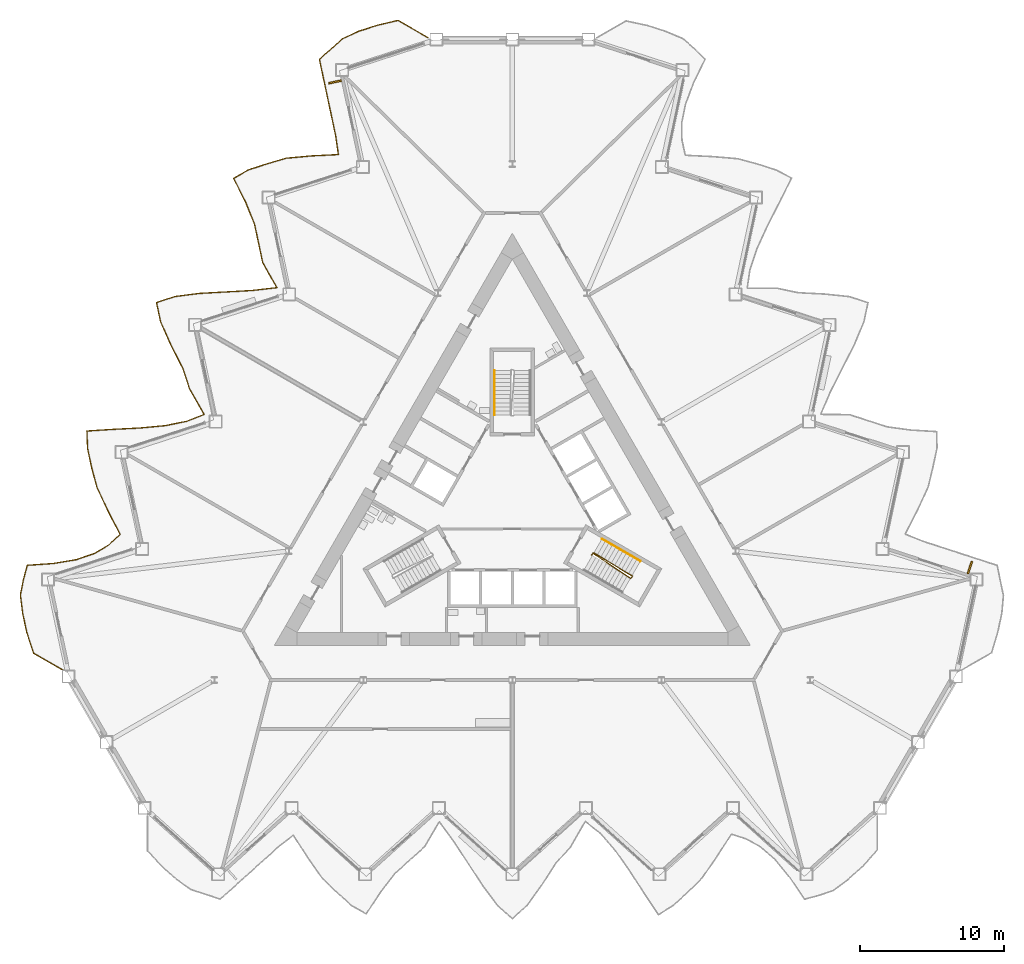
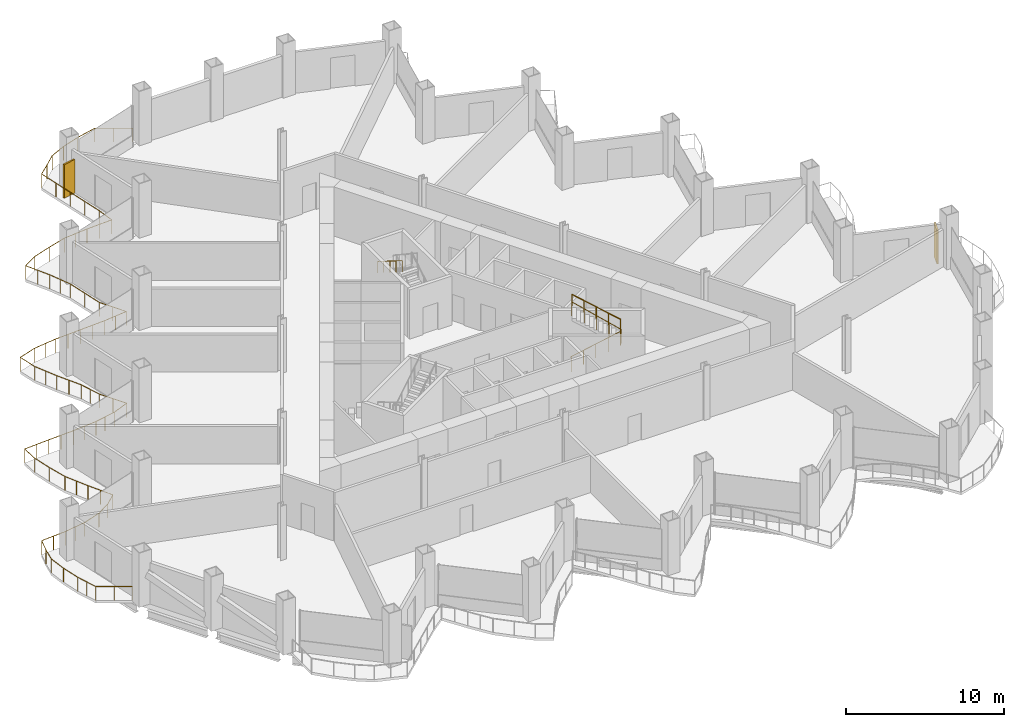
# One storey, part 18 of 21: 4 railings, 2 shading devices.
"""IFC4 building model written with IfcOpenShell, lengths in metres."""

from ifc_helpers import new_model, si_unit, direction, frame, origin, origin_2d, place, context, subcontext, project, spatial, rectangle, circle, extrude, material, layer, layer_set, type_object, element, save


model = new_model("IFC4")

# Units and contexts
model_context = context("Model", 3, precision=1e-05, world=origin(), true_north=direction((0.0, 1.0)))
body_context = subcontext(model_context, "Body", "Model", "MODEL_VIEW")
ifc_project = project(units=[si_unit("LENGTHUNIT", "METRE"), si_unit("AREAUNIT", "SQUARE_METRE"), si_unit("VOLUMEUNIT", "CUBIC_METRE"), si_unit("PLANEANGLEUNIT", "RADIAN"), si_unit("MASSUNIT", "GRAM", prefix="KILO")], contexts=[model_context])

# Site, building, storey
site_placement = place(None, origin())
site = spatial("IfcSite", under=ifc_project, at=site_placement, CompositionType="ELEMENT")
building_placement = place(site_placement, origin())
building = spatial("IfcBuilding", under=site, at=building_placement, Name="Cormorant Prow Tower", CompositionType="ELEMENT")
storey_placement = place(building_placement, frame((0.0, 0.0, 137.39990234375)))
storey = spatial("IfcBuildingStorey", under=building, at=storey_placement, Name="L29", CompositionType="ELEMENT", Elevation=137.39990234375)

# Railings
ifc_material_1 = material(Name="Aluminium 6063-T6", Category="aluminium")
railing_type_1 = type_object("IfcRailingType", Name="Balcony guard 1100", PredefinedType="GUARDRAIL", material=ifc_material_1)
railing_1_placement = place(storey_placement, frame((-5.843994140625, 32.614013671875, 0.0)))
element("IfcRailing", 1, at=railing_1_placement, inside=storey, type_object=railing_type_1, Name="Balcony guard WNW", PredefinedType="GUARDRAIL", context=body_context, shape_type="SweptSolid", body=[
    extrude(circle(Radius=0.02392578125, at=origin_2d()), frame((0.0, 0.0, 1.076171875), z_axis=(-0.866028295127, 0.499994992015, 0.0), x_axis=(-0.499994992015, -0.866028295127, 0.0)), (0.0, 0.0, 1.0), 2.40380859375),
    extrude(circle(Radius=0.02392578125, at=origin_2d()), frame((-2.081787109375, 1.201904296875, 1.076171875), z_axis=(-0.973527437764, -0.228570181608, 0.0), x_axis=(0.228570181608, -0.973527437764, 0.0)), (0.0, 0.0, 1.0), 1.479248046875),
    extrude(circle(Radius=0.02392578125, at=origin_2d()), frame((-3.52197265625, 0.86376953125, 1.076171875), z_axis=(-0.951056446131, -0.309017210318, 0.0), x_axis=(0.309017210318, -0.951056446131, 0.0)), (0.0, 0.0, 1.0), 1.36279296875),
    extrude(circle(Radius=0.02392578125, at=origin_2d()), frame((-4.818115234375, 0.442626953125, 1.076171875), z_axis=(-0.907751753019, -0.419507753077, 0.0), x_axis=(0.419507753077, -0.907751753019, 0.0)), (0.0, 0.0, 1.0), 1.239501953125),
    extrude(circle(Radius=0.02392578125, at=origin_2d()), frame((-5.943359375, -0.077392578125, 1.076171875), z_axis=(-0.741660765291, -0.670775155494, 0.0), x_axis=(0.670775155494, -0.741660765291, 0.0)), (0.0, 0.0, 1.0), 1.064208984375),
    extrude(circle(Radius=0.02392578125, at=origin_2d()), frame((-6.732666015625, -0.791259765625, 1.076171875), z_axis=(-0.75254842352, -0.658536916397, 0.0), x_axis=(0.658536916397, -0.75254842352, 0.0)), (0.0, 0.0, 1.0), 1.06982421875),
    extrude(circle(Radius=0.02392578125, at=origin_2d()), frame((-7.537841796875, -1.495849609375, 1.076171875), z_axis=(0.20777949128, -0.978175691276, 0.0), x_axis=(0.978175691276, 0.20777949128, 0.0)), (0.0, 0.0, 1.0), 1.363037109375),
    extrude(circle(Radius=0.02392578125, at=origin_2d()), frame((-7.254638671875, -2.8291015625, 1.076171875), z_axis=(0.207950868925, -0.97813927235, 0.0), x_axis=(0.97813927235, 0.207950868925, 0.0)), (0.0, 0.0, 1.0), 1.363037109375),
    extrude(circle(Radius=0.02392578125, at=origin_2d()), frame((-6.97119140625, -4.162353515625, 1.076171875), z_axis=(0.207950868925, -0.97813927235, 0.0), x_axis=(0.97813927235, 0.207950868925, 0.0)), (0.0, 0.0, 1.0), 1.363037109375),
    extrude(circle(Radius=0.02392578125, at=origin_2d()), frame((-6.687744140625, -5.49560546875, 1.076171875), z_axis=(0.207950868925, -0.97813927235, 0.0), x_axis=(0.97813927235, 0.207950868925, 0.0)), (0.0, 0.0, 1.0), 1.363037109375),
    extrude(circle(Radius=0.02392578125, at=origin_2d()), frame((-6.404296875, -6.828857421875, 1.076171875), z_axis=(0.140066112569, -0.990142153486, 0.0), x_axis=(0.990142153486, 0.140066112569, 0.0)), (0.0, 0.0, 1.0), 1.286376953125),
    extrude(circle(Radius=0.02392578125, at=origin_2d()), frame((-6.22412109375, -8.1025390625, 1.076171875), z_axis=(-0.998757876962, -0.049826731848, 0.0), x_axis=(0.049826731848, -0.998757876962, 0.0)), (0.0, 0.0, 1.0), 1.86669921875),
    extrude(circle(Radius=0.02392578125, at=origin_2d()), frame((-8.088623046875, -8.195556640625, 1.076171875), z_axis=(-0.995861249843, -0.090886583505, 0.0), x_axis=(0.090886583505, -0.995861249843, 0.0)), (0.0, 0.0, 1.0), 1.7568359375),
    extrude(circle(Radius=0.02392578125, at=origin_2d()), frame((-9.838134765625, -8.355224609375, 1.076171875), z_axis=(-0.959190108163, -0.282761978353, 0.0), x_axis=(0.282761978353, -0.959190108163, 0.0)), (0.0, 0.0, 1.0), 1.39794921875),
    extrude(circle(Radius=0.02392578125, at=origin_2d()), frame((-11.178955078125, -8.75048828125, 1.076171875), z_axis=(-0.951073548171, -0.308964570734, 0.0), x_axis=(0.308964570734, -0.951073548171, 0.0)), (0.0, 0.0, 1.0), 1.363037109375),
    extrude(circle(Radius=0.02392578125, at=origin_2d()), frame((-12.475341796875, -9.171630859375, 1.076171875), z_axis=(-0.863725761158, -0.503962111187, 0.0), x_axis=(0.503962111187, -0.863725761158, 0.0)), (0.0, 0.0, 1.0), 1.16650390625),
    extrude(circle(Radius=0.02392578125, at=origin_2d()), frame((-13.48291015625, -9.759521484375, 1.076171875), z_axis=(0.447319812545, -0.894374074593, 0.0), x_axis=(0.894374074593, 0.447319812545, 0.0)), (0.0, 0.0, 1.0), 1.8388671875),
    extrude(circle(Radius=0.02392578125, at=origin_2d()), frame((-12.660400390625, -11.404052734375, 1.076171875), z_axis=(0.377977097368, -0.925814945799, 0.0), x_axis=(0.925814945799, 0.377977097368, 0.0)), (0.0, 0.0, 1.0), 1.65283203125),
    extrude(circle(Radius=0.02392578125, at=origin_2d()), frame((-12.03564453125, -12.934326171875, 1.076171875), z_axis=(0.207950868925, -0.97813927235, 0.0), x_axis=(0.97813927235, 0.207950868925, 0.0)), (0.0, 0.0, 1.0), 1.363037109375),
    extrude(circle(Radius=0.02392578125, at=origin_2d()), frame((-11.752197265625, -14.267578125, 1.076171875), z_axis=(0.20777949128, -0.978175691276, 0.0), x_axis=(0.978175691276, 0.20777949128, 0.0)), (0.0, 0.0, 1.0), 1.363037109375),
    extrude(circle(Radius=0.02392578125, at=origin_2d()), frame((-11.468994140625, -15.600830078125, 1.076171875), z_axis=(0.490803057014, -0.871270543072, 0.0), x_axis=(0.871270543072, 0.490803057014, 0.0)), (0.0, 0.0, 1.0), 1.9892578125),
    extrude(circle(Radius=0.02392578125, at=origin_2d()), frame((-10.49267578125, -17.333984375, 1.076171875), z_axis=(-0.993563140823, -0.113279676901, 0.0), x_axis=(0.113279676901, -0.993563140823, 0.0)), (0.0, 0.0, 1.0), 1.70263671875),
    extrude(circle(Radius=0.02392578125, at=origin_2d()), frame((-12.184326171875, -17.52685546875, 1.076171875), z_axis=(-0.998448965936, -0.055674612001, 0.0), x_axis=(0.055674612001, -0.998448965936, 0.0)), (0.0, 0.0, 1.0), 1.8505859375),
    extrude(circle(Radius=0.02392578125, at=origin_2d()), frame((-14.031982421875, -17.6298828125, 1.076171875), z_axis=(-0.998487812858, -0.054973517027, 0.0), x_axis=(0.054973517027, -0.998487812858, 0.0)), (0.0, 0.0, 1.0), 1.851806640625),
    extrude(circle(Radius=0.02392578125, at=origin_2d()), frame((-15.881103515625, -17.731689453125, 1.076171875), z_axis=(-0.9919372882, -0.126729697698, 0.0), x_axis=(0.126729697698, -0.9919372882, 0.0)), (0.0, 0.0, 1.0), 1.672119140625),
    extrude(circle(Radius=0.02392578125, at=origin_2d()), frame((-17.539794921875, -17.943603515625, 1.076171875), z_axis=(-0.951020906197, -0.30912656951, 0.0), x_axis=(0.30912656951, -0.951020906197, 0.0)), (0.0, 0.0, 1.0), 1.363037109375),
    extrude(circle(Radius=0.02392578125, at=origin_2d()), frame((-18.836181640625, -18.364990234375, 1.076171875), z_axis=(0.207987307747, -0.978131524804, 0.0), x_axis=(0.978131524804, 0.207987307747, 0.0)), (0.0, 0.0, 1.0), 1.36279296875),
    extrude(circle(Radius=0.02392578125, at=origin_2d()), frame((-18.552734375, -19.697998046875, 1.076171875), z_axis=(0.40700550105, -0.913425706949, 0.0), x_axis=(0.913425706949, 0.40700550105, 0.0)), (0.0, 0.0, 1.0), 1.723876953125),
    extrude(circle(Radius=0.02392578125, at=origin_2d()), frame((-17.85107421875, -21.272705078125, 1.076171875), z_axis=(0.453817619065, -0.891094590168, 0.0), x_axis=(0.891094590168, 0.453817619065, 0.0)), (0.0, 0.0, 1.0), 1.85986328125),
    extrude(circle(Radius=0.02392578125, at=origin_2d()), frame((-17.007080078125, -22.929931640625, 1.076171875), z_axis=(0.311883805034, -0.950120251419, 0.0), x_axis=(0.950120251419, 0.311883805034, 0.0)), (0.0, 0.0, 1.0), 1.5185546875),
    extrude(circle(Radius=0.02392578125, at=origin_2d()), frame((-16.533447265625, -24.372802734375, 1.076171875), z_axis=(0.498014128162, -0.867168915582, 0.0), x_axis=(0.867168915582, 0.498014128162, 0.0)), (0.0, 0.0, 1.0), 2.017822265625),
    extrude(circle(Radius=0.02392578125, at=origin_2d()), frame((-15.528564453125, -26.12255859375, 1.076171875), z_axis=(-0.929438240411, -0.368977719195, 0.0), x_axis=(0.368977719195, -0.929438240411, 0.0)), (0.0, 0.0, 1.0), 1.29150390625),
    extrude(circle(Radius=0.02392578125, at=origin_2d()), frame((-16.72900390625, -26.59912109375, 1.076171875), z_axis=(-0.980310038388, -0.197464499685, 0.0), x_axis=(0.197464499685, -0.980310038388, 0.0)), (0.0, 0.0, 1.0), 1.531982421875),
    extrude(circle(Radius=0.02392578125, at=origin_2d()), frame((-18.230712890625, -26.901611328125, 1.076171875), z_axis=(-0.995728353616, -0.092331174608, 0.0), x_axis=(0.092331174608, -0.995728353616, 0.0)), (0.0, 0.0, 1.0), 1.753173828125),
    extrude(circle(Radius=0.02392578125, at=origin_2d()), frame((-19.976318359375, -27.0634765625, 1.076171875), z_axis=(-0.998736955878, -0.050244332642, 0.0), x_axis=(0.050244332642, -0.998736955878, 0.0)), (0.0, 0.0, 1.0), 1.865966796875),
    extrude(circle(Radius=0.02392578125, at=origin_2d()), frame((-21.83984375, -27.1572265625, 1.076171875), z_axis=(-0.997949334038, -0.064008801688, 0.0), x_axis=(0.064008801688, -0.997949334038, 0.0)), (0.0, 0.0, 1.0), 1.826904296875),
    extrude(circle(Radius=0.02392578125, at=origin_2d()), frame((-23.6630859375, -27.274169921875, 1.076171875), z_axis=(0.038346953092, -0.999264485103, 0.0), x_axis=(0.999264485103, 0.038346953092, 0.0)), (0.0, 0.0, 1.0), 1.197021484375),
    extrude(circle(Radius=0.02392578125, at=origin_2d()), frame((-23.6171875, -28.47021484375, 1.076171875), z_axis=(0.20777949128, -0.978175691276, 0.0), x_axis=(0.978175691276, 0.20777949128, 0.0)), (0.0, 0.0, 1.0), 1.363037109375),
    extrude(circle(Radius=0.02392578125, at=origin_2d()), frame((-23.333984375, -29.803466796875, 1.076171875), z_axis=(0.257290708408, -0.966334047505, 0.0), x_axis=(0.966334047505, 0.257290708408, 0.0)), (0.0, 0.0, 1.0), 1.429931640625),
    extrude(circle(Radius=0.02392578125, at=origin_2d()), frame((-22.966064453125, -31.185302734375, 1.076171875), z_axis=(0.42602218973, -0.904712713439, 0.0), x_axis=(0.904712713439, 0.42602218973, 0.0)), (0.0, 0.0, 1.0), 1.775390625),
    extrude(circle(Radius=0.02392578125, at=origin_2d()), frame((-22.209716796875, -32.79150390625, 1.076171875), z_axis=(0.457055956875, -0.889437941784, 0.0), x_axis=(0.889437941784, 0.457055956875, 0.0)), (0.0, 0.0, 1.0), 1.8701171875),
    extrude(circle(Radius=0.02392578125, at=origin_2d()), frame((-21.35498046875, -34.454833984375, 1.076171875), z_axis=(-0.739513853916, -0.673141337214, 0.0), x_axis=(0.673141337214, -0.739513853916, 0.0)), (0.0, 0.0, 1.0), 1.06298828125),
    extrude(circle(Radius=0.02392578125, at=origin_2d()), frame((-22.14111328125, -35.17041015625, 1.076171875), z_axis=(-0.856112008074, -0.516790314955, 0.0), x_axis=(0.516790314955, -0.856112008074, 0.0)), (0.0, 0.0, 1.0), 1.156982421875),
    extrude(circle(Radius=0.02392578125, at=origin_2d()), frame((-23.131591796875, -35.768310546875, 1.076171875), z_axis=(-0.9478484131, -0.318721486228, 0.0), x_axis=(0.318721486228, -0.9478484131, 0.0)), (0.0, 0.0, 1.0), 1.350341796875),
    extrude(circle(Radius=0.02392578125, at=origin_2d()), frame((-24.41162109375, -36.19873046875, 1.076171875), z_axis=(-0.986530062629, -0.163580058469, 0.0), x_axis=(0.163580058469, -0.986530062629, 0.0)), (0.0, 0.0, 1.0), 1.595458984375),
    extrude(circle(Radius=0.02392578125, at=origin_2d()), frame((-25.985595703125, -36.459716796875, 1.076171875), z_axis=(-0.9976522506, -0.068483478834, 0.0), x_axis=(0.068483478834, -0.9976522506, 0.0)), (0.0, 0.0, 1.0), 1.814453125),
    extrude(circle(Radius=0.02392578125, at=origin_2d()), frame((-27.7958984375, -36.583984375, 1.076171875), z_axis=(-0.256909410112, -0.966435489309, 0.0), x_axis=(0.966435489309, -0.256909410112, 0.0)), (0.0, 0.0, 1.0), 1.049072265625),
    extrude(circle(Radius=0.02392578125, at=origin_2d()), frame((-28.0654296875, -37.597900390625, 1.076171875), z_axis=(-0.193659031182, -0.981068896481, 0.0), x_axis=(0.981068896481, -0.193659031182, 0.0)), (0.0, 0.0, 1.0), 1.0703125),
    extrude(circle(Radius=0.02392578125, at=origin_2d()), frame((-28.272705078125, -38.64794921875, 1.076171875), z_axis=(0.124129331277, -0.992266047548, 0.0), x_axis=(0.992266047548, 0.124129331277, 0.0)), (0.0, 0.0, 1.0), 1.2705078125),
    extrude(circle(Radius=0.02392578125, at=origin_2d()), frame((-28.114990234375, -39.90869140625, 1.076171875), z_axis=(0.207987307747, -0.978131524804, 0.0), x_axis=(0.978131524804, 0.207987307747, 0.0)), (0.0, 0.0, 1.0), 1.36279296875),
    extrude(circle(Radius=0.02392578125, at=origin_2d()), frame((-27.83154296875, -41.24169921875, 1.076171875), z_axis=(0.311836172934, -0.950135885676, 0.0), x_axis=(0.950135885676, 0.311836172934, 0.0)), (0.0, 0.0, 1.0), 1.518798828125),
    extrude(circle(Radius=0.02392578125, at=origin_2d()), frame((-27.35791015625, -42.684814453125, 1.076171875), z_axis=(0.865997029545, -0.500049142405, 0.0), x_axis=(0.500049142405, 0.865997029545, 0.0)), (0.0, 0.0, 1.0), 2.350341796875),
    extrude(circle(Radius=0.02099609375, at=origin_2d()), origin(), (0.0, 0.0, 1.0), 1.052001953125),
    extrude(circle(Radius=0.02099609375, at=origin_2d()), frame((-1.041015625, 0.60107421875, 0.0)), (0.0, 0.0, 1.0), 1.052001953125),
    extrude(circle(Radius=0.02099609375, at=origin_2d()), frame((-2.081787109375, 1.201904296875, 0.0)), (0.0, 0.0, 1.0), 1.052001953125),
    extrude(circle(Radius=0.02099609375, at=origin_2d()), frame((-3.52197265625, 0.86376953125, 0.0)), (0.0, 0.0, 1.0), 1.052001953125),
    extrude(circle(Radius=0.02099609375, at=origin_2d()), frame((-4.818115234375, 0.442626953125, 0.0)), (0.0, 0.0, 1.0), 1.052001953125),
    extrude(circle(Radius=0.02099609375, at=origin_2d()), frame((-5.943359375, -0.077392578125, 0.0)), (0.0, 0.0, 1.0), 1.052001953125),
    extrude(circle(Radius=0.02099609375, at=origin_2d()), frame((-6.732666015625, -0.791259765625, 0.0)), (0.0, 0.0, 1.0), 1.052001953125),
    extrude(circle(Radius=0.02099609375, at=origin_2d()), frame((-7.537841796875, -1.495849609375, 0.0)), (0.0, 0.0, 1.0), 1.052001953125),
    extrude(circle(Radius=0.02099609375, at=origin_2d()), frame((-7.254638671875, -2.8291015625, 0.0)), (0.0, 0.0, 1.0), 1.052001953125),
    extrude(circle(Radius=0.02099609375, at=origin_2d()), frame((-6.97119140625, -4.162353515625, 0.0)), (0.0, 0.0, 1.0), 1.052001953125),
    extrude(circle(Radius=0.02099609375, at=origin_2d()), frame((-6.687744140625, -5.49560546875, 0.0)), (0.0, 0.0, 1.0), 1.052001953125),
    extrude(circle(Radius=0.02099609375, at=origin_2d()), frame((-6.404296875, -6.828857421875, 0.0)), (0.0, 0.0, 1.0), 1.052001953125),
    extrude(circle(Radius=0.02099609375, at=origin_2d()), frame((-6.22412109375, -8.1025390625, 0.0)), (0.0, 0.0, 1.0), 1.052001953125),
    extrude(circle(Radius=0.02099609375, at=origin_2d()), frame((-7.15625, -8.14892578125, 0.0)), (0.0, 0.0, 1.0), 1.052001953125),
    extrude(circle(Radius=0.02099609375, at=origin_2d()), frame((-8.088623046875, -8.195556640625, 0.0)), (0.0, 0.0, 1.0), 1.052001953125),
    extrude(circle(Radius=0.02099609375, at=origin_2d()), frame((-8.96337890625, -8.275390625, 0.0)), (0.0, 0.0, 1.0), 1.052001953125),
    extrude(circle(Radius=0.02099609375, at=origin_2d()), frame((-9.838134765625, -8.355224609375, 0.0)), (0.0, 0.0, 1.0), 1.052001953125),
    extrude(circle(Radius=0.02099609375, at=origin_2d()), frame((-11.178955078125, -8.75048828125, 0.0)), (0.0, 0.0, 1.0), 1.052001953125),
    extrude(circle(Radius=0.02099609375, at=origin_2d()), frame((-12.475341796875, -9.171630859375, 0.0)), (0.0, 0.0, 1.0), 1.052001953125),
    extrude(circle(Radius=0.02099609375, at=origin_2d()), frame((-13.48291015625, -9.759521484375, 0.0)), (0.0, 0.0, 1.0), 1.052001953125),
    extrude(circle(Radius=0.02099609375, at=origin_2d()), frame((-13.07177734375, -10.581787109375, 0.0)), (0.0, 0.0, 1.0), 1.052001953125),
    extrude(circle(Radius=0.02099609375, at=origin_2d()), frame((-12.660400390625, -11.404052734375, 0.0)), (0.0, 0.0, 1.0), 1.052001953125),
    extrude(circle(Radius=0.02099609375, at=origin_2d()), frame((-12.34814453125, -12.169189453125, 0.0)), (0.0, 0.0, 1.0), 1.052001953125),
    extrude(circle(Radius=0.02099609375, at=origin_2d()), frame((-12.03564453125, -12.934326171875, 0.0)), (0.0, 0.0, 1.0), 1.052001953125),
    extrude(circle(Radius=0.02099609375, at=origin_2d()), frame((-11.752197265625, -14.267578125, 0.0)), (0.0, 0.0, 1.0), 1.052001953125),
    extrude(circle(Radius=0.02099609375, at=origin_2d()), frame((-11.468994140625, -15.600830078125, 0.0)), (0.0, 0.0, 1.0), 1.052001953125),
    extrude(circle(Radius=0.02099609375, at=origin_2d()), frame((-10.98095703125, -16.46728515625, 0.0)), (0.0, 0.0, 1.0), 1.052001953125),
    extrude(circle(Radius=0.02099609375, at=origin_2d()), frame((-10.49267578125, -17.333984375, 0.0)), (0.0, 0.0, 1.0), 1.052001953125),
    extrude(circle(Radius=0.02099609375, at=origin_2d()), frame((-11.33837890625, -17.430419921875, 0.0)), (0.0, 0.0, 1.0), 1.052001953125),
    extrude(circle(Radius=0.02099609375, at=origin_2d()), frame((-12.184326171875, -17.52685546875, 0.0)), (0.0, 0.0, 1.0), 1.052001953125),
    extrude(circle(Radius=0.02099609375, at=origin_2d()), frame((-13.108154296875, -17.578369140625, 0.0)), (0.0, 0.0, 1.0), 1.052001953125),
    extrude(circle(Radius=0.02099609375, at=origin_2d()), frame((-14.031982421875, -17.6298828125, 0.0)), (0.0, 0.0, 1.0), 1.052001953125),
    extrude(circle(Radius=0.02099609375, at=origin_2d()), frame((-14.95654296875, -17.6806640625, 0.0)), (0.0, 0.0, 1.0), 1.052001953125),
    extrude(circle(Radius=0.02099609375, at=origin_2d()), frame((-15.881103515625, -17.731689453125, 0.0)), (0.0, 0.0, 1.0), 1.052001953125),
    extrude(circle(Radius=0.02099609375, at=origin_2d()), frame((-16.71044921875, -17.837646484375, 0.0)), (0.0, 0.0, 1.0), 1.052001953125),
    extrude(circle(Radius=0.02099609375, at=origin_2d()), frame((-17.539794921875, -17.943603515625, 0.0)), (0.0, 0.0, 1.0), 1.052001953125),
    extrude(circle(Radius=0.02099609375, at=origin_2d()), frame((-18.836181640625, -18.364990234375, 0.0)), (0.0, 0.0, 1.0), 1.052001953125),
    extrude(circle(Radius=0.02099609375, at=origin_2d()), frame((-18.552734375, -19.697998046875, 0.0)), (0.0, 0.0, 1.0), 1.052001953125),
    extrude(circle(Radius=0.02099609375, at=origin_2d()), frame((-18.201904296875, -20.4853515625, 0.0)), (0.0, 0.0, 1.0), 1.052001953125),
    extrude(circle(Radius=0.02099609375, at=origin_2d()), frame((-17.85107421875, -21.272705078125, 0.0)), (0.0, 0.0, 1.0), 1.052001953125),
    extrude(circle(Radius=0.02099609375, at=origin_2d()), frame((-17.42919921875, -22.101318359375, 0.0)), (0.0, 0.0, 1.0), 1.052001953125),
    extrude(circle(Radius=0.02099609375, at=origin_2d()), frame((-17.007080078125, -22.929931640625, 0.0)), (0.0, 0.0, 1.0), 1.052001953125),
    extrude(circle(Radius=0.02099609375, at=origin_2d()), frame((-16.770263671875, -23.6513671875, 0.0)), (0.0, 0.0, 1.0), 1.052001953125),
    extrude(circle(Radius=0.02099609375, at=origin_2d()), frame((-16.533447265625, -24.372802734375, 0.0)), (0.0, 0.0, 1.0), 1.052001953125),
    extrude(circle(Radius=0.02099609375, at=origin_2d()), frame((-16.031005859375, -25.24755859375, 0.0)), (0.0, 0.0, 1.0), 1.052001953125),
    extrude(circle(Radius=0.02099609375, at=origin_2d()), frame((-15.528564453125, -26.12255859375, 0.0)), (0.0, 0.0, 1.0), 1.052001953125),
    extrude(circle(Radius=0.02099609375, at=origin_2d()), frame((-16.72900390625, -26.59912109375, 0.0)), (0.0, 0.0, 1.0), 1.052001953125),
    extrude(circle(Radius=0.02099609375, at=origin_2d()), frame((-17.47998046875, -26.75048828125, 0.0)), (0.0, 0.0, 1.0), 1.052001953125),
    extrude(circle(Radius=0.02099609375, at=origin_2d()), frame((-18.230712890625, -26.901611328125, 0.0)), (0.0, 0.0, 1.0), 1.052001953125),
    extrude(circle(Radius=0.02099609375, at=origin_2d()), frame((-19.103515625, -26.982421875, 0.0)), (0.0, 0.0, 1.0), 1.052001953125),
    extrude(circle(Radius=0.02099609375, at=origin_2d()), frame((-19.976318359375, -27.0634765625, 0.0)), (0.0, 0.0, 1.0), 1.052001953125),
    extrude(circle(Radius=0.02099609375, at=origin_2d()), frame((-20.908203125, -27.1103515625, 0.0)), (0.0, 0.0, 1.0), 1.052001953125),
    extrude(circle(Radius=0.02099609375, at=origin_2d()), frame((-21.83984375, -27.1572265625, 0.0)), (0.0, 0.0, 1.0), 1.052001953125),
    extrude(circle(Radius=0.02099609375, at=origin_2d()), frame((-22.75146484375, -27.2158203125, 0.0)), (0.0, 0.0, 1.0), 1.052001953125),
    extrude(circle(Radius=0.02099609375, at=origin_2d()), frame((-23.6630859375, -27.274169921875, 0.0)), (0.0, 0.0, 1.0), 1.052001953125),
    extrude(circle(Radius=0.02099609375, at=origin_2d()), frame((-23.6171875, -28.47021484375, 0.0)), (0.0, 0.0, 1.0), 1.052001953125),
    extrude(circle(Radius=0.02099609375, at=origin_2d()), frame((-23.333984375, -29.803466796875, 0.0)), (0.0, 0.0, 1.0), 1.052001953125),
    extrude(circle(Radius=0.02099609375, at=origin_2d()), frame((-22.966064453125, -31.185302734375, 0.0)), (0.0, 0.0, 1.0), 1.052001953125),
    extrude(circle(Radius=0.02099609375, at=origin_2d()), frame((-22.587890625, -31.98828125, 0.0)), (0.0, 0.0, 1.0), 1.052001953125),
    extrude(circle(Radius=0.02099609375, at=origin_2d()), frame((-22.209716796875, -32.79150390625, 0.0)), (0.0, 0.0, 1.0), 1.052001953125),
    extrude(circle(Radius=0.02099609375, at=origin_2d()), frame((-21.7822265625, -33.623046875, 0.0)), (0.0, 0.0, 1.0), 1.052001953125),
    extrude(circle(Radius=0.02099609375, at=origin_2d()), frame((-21.35498046875, -34.454833984375, 0.0)), (0.0, 0.0, 1.0), 1.052001953125),
    extrude(circle(Radius=0.02099609375, at=origin_2d()), frame((-22.14111328125, -35.17041015625, 0.0)), (0.0, 0.0, 1.0), 1.052001953125),
    extrude(circle(Radius=0.02099609375, at=origin_2d()), frame((-23.131591796875, -35.768310546875, 0.0)), (0.0, 0.0, 1.0), 1.052001953125),
    extrude(circle(Radius=0.02099609375, at=origin_2d()), frame((-24.41162109375, -36.19873046875, 0.0)), (0.0, 0.0, 1.0), 1.052001953125),
    extrude(circle(Radius=0.02099609375, at=origin_2d()), frame((-25.19873046875, -36.3291015625, 0.0)), (0.0, 0.0, 1.0), 1.052001953125),
    extrude(circle(Radius=0.02099609375, at=origin_2d()), frame((-25.985595703125, -36.459716796875, 0.0)), (0.0, 0.0, 1.0), 1.052001953125),
    extrude(circle(Radius=0.02099609375, at=origin_2d()), frame((-26.890625, -36.52197265625, 0.0)), (0.0, 0.0, 1.0), 1.052001953125),
    extrude(circle(Radius=0.02099609375, at=origin_2d()), frame((-27.7958984375, -36.583984375, 0.0)), (0.0, 0.0, 1.0), 1.052001953125),
    extrude(circle(Radius=0.02099609375, at=origin_2d()), frame((-28.0654296875, -37.597900390625, 0.0)), (0.0, 0.0, 1.0), 1.052001953125),
    extrude(circle(Radius=0.02099609375, at=origin_2d()), frame((-28.272705078125, -38.64794921875, 0.0)), (0.0, 0.0, 1.0), 1.052001953125),
    extrude(circle(Radius=0.02099609375, at=origin_2d()), frame((-28.114990234375, -39.90869140625, 0.0)), (0.0, 0.0, 1.0), 1.052001953125),
    extrude(circle(Radius=0.02099609375, at=origin_2d()), frame((-27.83154296875, -41.24169921875, 0.0)), (0.0, 0.0, 1.0), 1.052001953125),
    extrude(circle(Radius=0.02099609375, at=origin_2d()), frame((-27.5947265625, -41.96337890625, 0.0)), (0.0, 0.0, 1.0), 1.052001953125),
    extrude(circle(Radius=0.02099609375, at=origin_2d()), frame((-27.35791015625, -42.684814453125, 0.0)), (0.0, 0.0, 1.0), 1.052001953125),
    extrude(circle(Radius=0.02099609375, at=origin_2d()), frame((-26.34033203125, -43.2724609375, 0.0)), (0.0, 0.0, 1.0), 1.052001953125),
    extrude(circle(Radius=0.02099609375, at=origin_2d()), frame((-25.322509765625, -43.860107421875, 0.0)), (0.0, 0.0, 1.0), 1.052001953125),
])
ifc_material_2 = material(Name="Stainless steel", Category="steel")
railing_type_2 = type_object("IfcRailingType", Name="Stair guard 1100", PredefinedType="GUARDRAIL", material=ifc_material_2)
railing_2_placement = place(storey_placement, frame((5.510009765625, -3.267822265625, 0.0)))
element("IfcRailing", 2, at=railing_2_placement, inside=storey, type_object=railing_type_2, Name="L29 ST2 stair guard 1", PredefinedType="GUARDRAIL", context=body_context, shape_type="SweptSolid", body=[
    extrude(circle(Radius=0.02392578125, at=origin_2d()), frame((0.0, 0.0, 1.076171875), z_axis=(0.501036270542, 0.865426285481, 0.0), x_axis=(-0.865426285481, 0.501036270542, 0.0)), (0.0, 0.0, 1.0), 0.150146484375),
    extrude(circle(Radius=0.02392578125, at=origin_2d()), frame((0.0751953125, 0.1298828125, 1.076171875), z_axis=(0.691630634645, -0.46052652377, 0.556383308633), x_axis=(0.554233058506, 0.832361530141, 0.0)), (0.0, 0.0, 1.0), 3.774658203125),
    extrude(circle(Radius=0.02392578125, at=origin_2d()), frame((2.685791015625, -1.6083984375, 3.17626953125), z_axis=(0.695164929852, 0.718850276695, 0.0), x_axis=(-0.718850276695, 0.695164929852, 0.0)), (0.0, 0.0, 1.0), 0.2060546875),
    extrude(circle(Radius=0.02392578125, at=origin_2d()), frame((2.8291015625, -1.460205078125, 3.17626953125), z_axis=(-0.712463317363, 0.426661970256, 0.557095669117), x_axis=(-0.513773053629, -0.857926132814, 0.0)), (0.0, 0.0, 1.0), 3.769775390625),
    extrude(circle(Radius=0.02099609375, at=origin_2d()), origin(), (0.0, 0.0, 1.0), 1.052001953125),
    extrude(circle(Radius=0.02099609375, at=origin_2d()), frame((0.0751953125, 0.1298828125, 0.0)), (0.0, 0.0, 1.0), 1.052001953125),
    extrude(circle(Radius=0.02099609375, at=origin_2d()), frame((0.727783203125, -0.3046875, 0.52490234375)), (0.0, 0.0, 1.0), 1.052001953125),
    extrude(circle(Radius=0.02099609375, at=origin_2d()), frame((1.38037109375, -0.7392578125, 1.050048828125)), (0.0, 0.0, 1.0), 1.052001953125),
    extrude(circle(Radius=0.02099609375, at=origin_2d()), frame((2.033203125, -1.173828125, 1.5751953125)), (0.0, 0.0, 1.0), 1.052001953125),
    extrude(circle(Radius=0.02099609375, at=origin_2d()), frame((2.685791015625, -1.6083984375, 2.10009765625)), (0.0, 0.0, 1.0), 1.052001953125),
    extrude(circle(Radius=0.02099609375, at=origin_2d()), frame((2.8291015625, -1.460205078125, 2.10009765625)), (0.0, 0.0, 1.0), 1.052001953125),
    extrude(circle(Radius=0.02099609375, at=origin_2d()), frame((2.15771484375, -1.05810546875, 2.625)), (0.0, 0.0, 1.0), 1.052001953125),
    extrude(circle(Radius=0.02099609375, at=origin_2d()), frame((1.486328125, -0.656005859375, 3.150146484375)), (0.0, 0.0, 1.0), 1.052001953125),
    extrude(circle(Radius=0.02099609375, at=origin_2d()), frame((0.814697265625, -0.25390625, 3.67529296875)), (0.0, 0.0, 1.0), 1.052001953125),
    extrude(circle(Radius=0.02099609375, at=origin_2d()), frame((0.143310546875, 0.148193359375, 4.2001953125)), (0.0, 0.0, 1.0), 1.052001953125),
])
ifc_material_3 = material(Name="Stainless steel", Category="steel")
railing_type_3 = type_object("IfcRailingType", Name="Stair handrail 900", PredefinedType="HANDRAIL", material=ifc_material_3)
railing_3_placement = place(storey_placement, frame((8.88037109375, -3.690673828125, 2.275146484375)))
element("IfcRailing", 3, at=railing_3_placement, inside=storey, type_object=railing_type_3, Name="L29 ST2 stair handrail 2", PredefinedType="HANDRAIL", context=body_context, shape_type="SweptSolid", body=[
    extrude(circle(Radius=0.02392578125, at=origin_2d()), frame((0.0, 0.0, 0.8759765625), z_axis=(-0.734394994316, 0.423994474112, 0.52999309264), x_axis=(-0.499992328818, -0.866029832698, 0.0)), (0.0, 0.0, 1.0), 3.63232421875),
    extrude(circle(Radius=0.02099609375, at=origin_2d()), origin(), (0.0, 0.0, 1.0), 0.851806640625),
    extrude(circle(Radius=0.02099609375, at=origin_2d()), frame((-0.6669921875, 0.385009765625, 0.481201171875)), (0.0, 0.0, 1.0), 0.851806640625),
    extrude(circle(Radius=0.02099609375, at=origin_2d()), frame((-1.333740234375, 0.77001953125, 0.96240234375)), (0.0, 0.0, 1.0), 0.851806640625),
    extrude(circle(Radius=0.02099609375, at=origin_2d()), frame((-2.00048828125, 1.155029296875, 1.44384765625)), (0.0, 0.0, 1.0), 0.851806640625),
    extrude(circle(Radius=0.02099609375, at=origin_2d()), frame((-2.66748046875, 1.5400390625, 1.925048828125)), (0.0, 0.0, 1.0), 0.851806640625),
])
railing_4_placement = place(storey_placement, frame((-1.243896484375, 9.535888671875, 2.275146484375)))
element("IfcRailing", 4, at=railing_4_placement, inside=storey, type_object=railing_type_3, Name="L29 ST3 stair handrail 2", PredefinedType="HANDRAIL", context=body_context, shape_type="SweptSolid", body=[
    extrude(circle(Radius=0.02392578125, at=origin_2d()), frame((0.0, 0.0, 0.8759765625), z_axis=(0.0, -0.847998304005, 0.529998940003), x_axis=(1.0, 0.0, 0.0)), (0.0, 0.0, 1.0), 3.632080078125),
    extrude(circle(Radius=0.02099609375, at=origin_2d()), origin(), (0.0, 0.0, 1.0), 0.851806640625),
    extrude(circle(Radius=0.02099609375, at=origin_2d()), frame((0.0, -0.77001953125, 0.481201171875)), (0.0, 0.0, 1.0), 0.851806640625),
    extrude(circle(Radius=0.02099609375, at=origin_2d()), frame((0.0, -1.5400390625, 0.96240234375)), (0.0, 0.0, 1.0), 0.851806640625),
    extrude(circle(Radius=0.02099609375, at=origin_2d()), frame((0.0, -2.31005859375, 1.44384765625)), (0.0, 0.0, 1.0), 0.851806640625),
    extrude(circle(Radius=0.02099609375, at=origin_2d()), frame((0.0, -3.080078125, 1.925048828125)), (0.0, 0.0, 1.0), 0.851806640625),
])

# Shading devices
ifc_material_4 = material(Name="Terracotta", Category="masonry")
ifc_layer = layer(ifc_material_4, 0.1201171875)
ifc_layer_set = layer_set([ifc_layer], Name="Terracotta")
shading_device_type = type_object("IfcShadingDeviceType", Name="Terracotta baguette fin 120x900x2600", PredefinedType="USERDEFINED", material=ifc_layer_set)
for number, where, z_axis, x_axis, name in (
    (5, (31.7314453125, -4.126953125, 0.0), (0.0, 0.0, 1.0), (-0.951056511608, 0.3090170088, 0.0), "Baguette fin ENE01"),
    (6, (-12.291748046875, 29.543701171875, 0.0), (0.0, 0.0, 1.0), (0.207911719806, -0.978147594572, 0.0), "Baguette fin WNW01"),
):
    element("IfcShadingDevice", number, at=place(storey_placement, frame(where, z_axis=z_axis, x_axis=x_axis)), inside=storey, type_object=shading_device_type, Name=name, ObjectType="BAGUETTE", PredefinedType="USERDEFINED", context=body_context, shape_type="SweptSolid", body=[
        extrude(rectangle(XDim=0.1201171875, YDim=0.89990234375, at=origin_2d()), origin(), (0.0, 0.0, 1.0), 2.60009765625),
    ])

save(model, "model.ifc")
